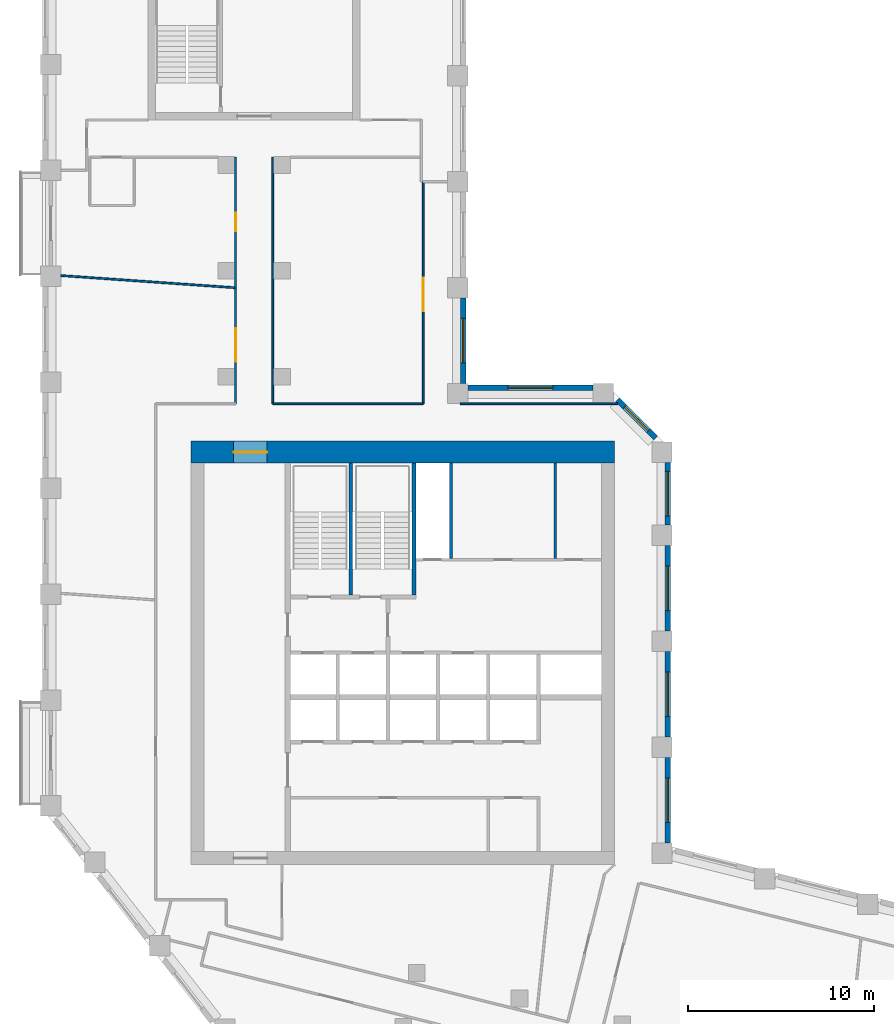
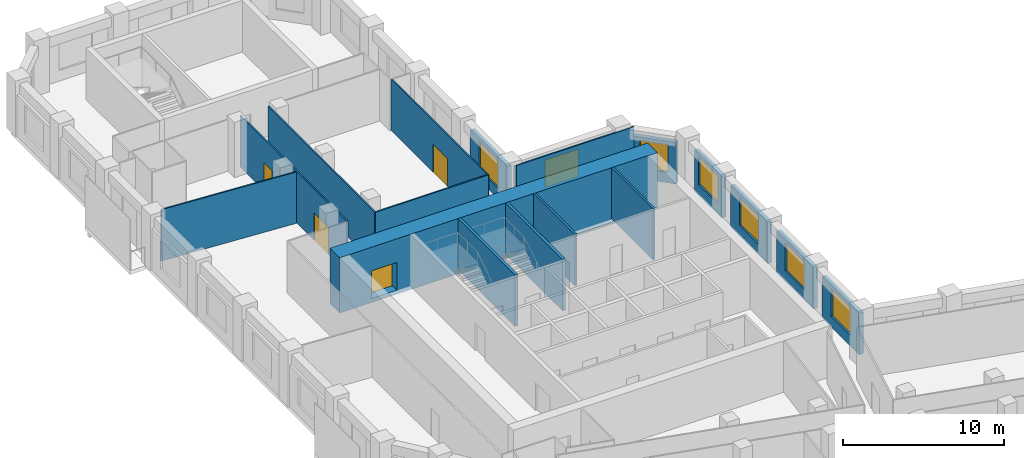
# One storey, part 6 of 10: 18 walls, 7 windows, 4 doors, 11 openings.
"""IFC4 building model written with IfcOpenShell, lengths in metres."""

from ifc_helpers import new_model, si_unit, direction, frame, frame_2d, origin, place, context, subcontext, project, spatial, rectangle, extrude, material, layer, layer_set, type_object, element, fill, save


model = new_model("IFC4")

# Units and contexts
model_context = context("Model", 3, precision=1e-05, world=origin(), true_north=direction((0.0, 1.0)))
body_context = subcontext(model_context, "Body", "Model", "MODEL_VIEW")
ifc_project = project(units=[si_unit("LENGTHUNIT", "METRE"), si_unit("AREAUNIT", "SQUARE_METRE"), si_unit("VOLUMEUNIT", "CUBIC_METRE"), si_unit("PLANEANGLEUNIT", "RADIAN"), si_unit("MASSUNIT", "GRAM", prefix="KILO")], contexts=[model_context])

# Site, building, storey
site_placement = place(None, origin())
site = spatial("IfcSite", under=ifc_project, at=site_placement, CompositionType="ELEMENT")
building_placement = place(site_placement, origin())
building = spatial("IfcBuilding", under=site, at=building_placement, Name="Meshkara Civic Tower", CompositionType="ELEMENT")
storey_placement = place(building_placement, frame((0.0, 0.0, 229.800048828125)))
storey = spatial("IfcBuildingStorey", under=building, at=storey_placement, Name="L52", CompositionType="ELEMENT", Elevation=229.800048828125)

# Walls
ifc_material_1 = material(Name="Blockwork", Category="masonry")
ifc_layer_1 = layer(ifc_material_1, 0.14990234375)
ifc_layer_set_1 = layer_set([ifc_layer_1], Name="Core partition 150")
wall_type_1 = type_object("IfcWallType", Name="Core partition 150", PredefinedType="PARTITIONING", material=ifc_layer_set_1)
for number, where, z_axis, x_axis, name in (
    (1, (22.0, 30.574951171875, 0.0), (0.0, 0.0, 1.0), (0.0, 1.0, 0.0), "L52-C017"),
    (2, (27.60009765625, 30.574951171875, 0.0), (0.0, 0.0, 1.0), (0.0, 1.0, 0.0), "L52-C022"),
):
    element("IfcWall", number, at=place(storey_placement, frame(where, z_axis=z_axis, x_axis=x_axis)), inside=storey, type_object=wall_type_1, Name=name, PredefinedType="PARTITIONING", context=body_context, shape_type="SweptSolid", body=[
        extrude(rectangle(XDim=5.125, YDim=0.14990234375, at=frame_2d((2.5625, 0.0))), origin(), (0.0, 0.0, 1.0), 3.89990234375),
    ])

# Wall, opening, door
ifc_material_2 = material(Name="Concrete C60", Category="concrete")
ifc_layer_2 = layer(ifc_material_2, 1.199951171875)
ifc_layer_set_2 = layer_set([ifc_layer_2], Name="Core ring wall 1200 C60")
wall_type_2 = type_object("IfcWallType", Name="Core ring wall 1200 C60", PredefinedType="SHEAR", material=ifc_layer_set_2)
wall_1_placement = place(storey_placement, frame((8.0, 36.300048828125, -0.300048828125), z_axis=(0.0, 0.0, 1.0), x_axis=(1.0, 0.0, 0.0)))
wall_1 = element("IfcWall", 3, at=wall_1_placement, inside=storey, type_object=wall_type_2, Name="L52-C002", PredefinedType="SHEAR", context=body_context, shape_type="SweptSolid", body=[
    extrude(rectangle(XDim=22.800048828125, YDim=1.199951171875, at=frame_2d((11.39990234375, 0.0))), origin(), (0.0, 0.0, 1.0), 4.199951171875),
])
opening_1_placement = place(wall_1_placement, frame((2.300048828125, 0.0, 0.300048828125)))
opening_1 = element("IfcOpeningElement", 4, at=opening_1_placement, cuts=wall_1, Name="Opening L52-K020", PredefinedType="OPENING", context=body_context, shape_type="SweptSolid", body=[
    extrude(rectangle(XDim=1.800048828125, YDim=2.10009765625, at=frame_2d((0.89990234375, 1.050048828125))), frame((0.0, 0.60986328125, 0.0), z_axis=(0.0, -1.0, 0.0), x_axis=(1.0, 0.0, 0.0)), (0.0, 0.0, 1.0), 1.219970703125),
])
ifc_material_3 = material(Name="Fire-rated door leaf in steel frame", Category="steel")
door_type_1 = type_object("IfcDoorType", Name="Core double door 1800 EI 60", OperationType="DOUBLE_DOOR_SINGLE_SWING", PredefinedType="DOOR", material=ifc_material_3)
door_1_placement = place(opening_1_placement, origin())
door_1 = element("IfcDoor", 5, at=door_1_placement, inside=storey, type_object=door_type_1, Name="L52-K020", OperationType="DOUBLE_DOOR_SINGLE_SWING", OverallHeight=2.10009765625, OverallWidth=1.800048828125, PredefinedType="DOOR", context=body_context, shape_type="SweptSolid", body=[
    extrude(rectangle(XDim=1.800048828125, YDim=2.10009765625, at=frame_2d((0.89990234375, 1.050048828125))), frame((0.0, 0.02490234375, 0.0), z_axis=(0.0, -1.0, 0.0), x_axis=(1.0, 0.0, 0.0)), (0.0, 0.0, 1.0), 0.050048828125),
])
fill(opening_1, door_1)

# Wall, openings, doors
ifc_material_4 = material(Name="Corridor wall 100")
ifc_layer_3 = layer(ifc_material_4, 0.10009765625)
ifc_layer_set_3 = layer_set([ifc_layer_3], Name="Corridor wall 100")
wall_type_3 = type_object("IfcWallType", Name="Corridor wall 100", PredefinedType="PARTITIONING", material=ifc_layer_set_3)
wall_2_placement = place(storey_placement, frame((10.39990234375, 52.169921875, 0.0), z_axis=(0.0, 0.0, 1.0), x_axis=(0.0, -1.0, 0.0)))
wall_2 = element("IfcWall", 6, at=wall_2_placement, inside=storey, type_object=wall_type_3, Name="L52-W012", PredefinedType="PARTITIONING", context=body_context, shape_type="SweptSolid", body=[
    extrude(rectangle(XDim=13.27001953125, YDim=0.10009765625, at=frame_2d((6.635009765625, 0.0))), origin(), (0.0, 0.0, 1.0), 3.89990234375),
])
opening_2_placement = place(wall_2_placement, frame((9.2060546875, 0.0, 0.0)))
opening_2 = element("IfcOpeningElement", 7, at=opening_2_placement, cuts=wall_2, Name="Opening L52-D014", PredefinedType="OPENING", context=body_context, shape_type="SweptSolid", body=[
    extrude(rectangle(XDim=1.800048828125, YDim=2.10009765625, at=frame_2d((0.89990234375, 1.050048828125))), frame((0.0, 0.06005859375, 0.0), z_axis=(0.0, -1.0, 0.0), x_axis=(1.0, 0.0, 0.0)), (0.0, 0.0, 1.0), 0.1201171875),
])
opening_3_placement = place(wall_2_placement, frame((2.97998046875, 0.0, 0.0)))
opening_3 = element("IfcOpeningElement", 8, at=opening_3_placement, cuts=wall_2, Name="Opening L52-D018", PredefinedType="OPENING", context=body_context, shape_type="SweptSolid", body=[
    extrude(rectangle(XDim=1.0, YDim=2.10009765625, at=frame_2d((0.5, 1.050048828125))), frame((0.0, 0.06005859375, 0.0), z_axis=(0.0, -1.0, 0.0), x_axis=(1.0, 0.0, 0.0)), (0.0, 0.0, 1.0), 0.1201171875),
])
ifc_material_5 = material(Name="Door 1000 x 2100")
door_type_2 = type_object("IfcDoorType", Name="Door 1000 x 2100", OperationType="SINGLE_SWING_LEFT", PredefinedType="DOOR", material=ifc_material_5)
door_2_placement = place(opening_3_placement, origin())
door_2 = element("IfcDoor", 9, at=door_2_placement, inside=storey, type_object=door_type_2, Name="L52-D018", OperationType="SINGLE_SWING_RIGHT", OverallHeight=2.10009765625, OverallWidth=1.0, PredefinedType="DOOR", context=body_context, shape_type="SweptSolid", body=[
    extrude(rectangle(XDim=1.0, YDim=2.10009765625, at=frame_2d((0.5, 1.050048828125))), frame((0.0, 0.02490234375, 0.0), z_axis=(0.0, -1.0, 0.0), x_axis=(1.0, 0.0, 0.0)), (0.0, 0.0, 1.0), 0.050048828125),
])
fill(opening_3, door_2)
ifc_material_6 = material(Name="Door pair 1800 x 2100")
door_type_3 = type_object("IfcDoorType", Name="Door pair 1800 x 2100", OperationType="SINGLE_SWING_LEFT", PredefinedType="DOOR", material=ifc_material_6)
door_3_placement = place(opening_2_placement, origin())
door_3 = element("IfcDoor", 10, at=door_3_placement, inside=storey, type_object=door_type_3, Name="L52-D014", OperationType="DOUBLE_DOOR_SINGLE_SWING", OverallHeight=2.10009765625, OverallWidth=1.800048828125, PredefinedType="DOOR", context=body_context, shape_type="SweptSolid", body=[
    extrude(rectangle(XDim=1.800048828125, YDim=2.10009765625, at=frame_2d((0.89990234375, 1.050048828125))), frame((0.0, 0.02490234375, 0.0), z_axis=(0.0, -1.0, 0.0), x_axis=(1.0, 0.0, 0.0)), (0.0, 0.0, 1.0), 0.050048828125),
])
fill(opening_2, door_3)

# Walls
wall_3_placement = place(storey_placement, frame((12.39990234375, 38.89990234375, 0.0), z_axis=(0.0, 0.0, 1.0), x_axis=(0.0, 1.0, 0.0)))
element("IfcWall", 11, at=wall_3_placement, inside=storey, type_object=wall_type_3, Name="L52-W013", PredefinedType="PARTITIONING", context=body_context, shape_type="SweptSolid", body=[
    extrude(rectangle(XDim=13.27001953125, YDim=0.10009765625, at=frame_2d((6.635009765625, 0.0))), origin(), (0.0, 0.0, 1.0), 3.89990234375),
])
wall_4_placement = place(storey_placement, frame((20.5, 38.89990234375, 0.0), z_axis=(0.0, 0.0, 1.0), x_axis=(-1.0, 0.0, 0.0)))
element("IfcWall", 12, at=wall_4_placement, inside=storey, type_object=wall_type_3, Name="L52-W018", PredefinedType="PARTITIONING", context=body_context, shape_type="SweptSolid", body=[
    extrude(rectangle(XDim=8.10009765625, YDim=0.10009765625, at=frame_2d((4.050048828125, 0.0))), origin(), (0.0, 0.0, 1.0), 3.89990234375),
])

# Wall, opening, door
wall_5_placement = place(storey_placement, frame((20.5, 50.85009765625, 0.0), z_axis=(0.0, 0.0, 1.0), x_axis=(0.0, -1.0, 0.0)))
wall_5 = element("IfcWall", 13, at=wall_5_placement, inside=storey, type_object=wall_type_3, Name="L52-W019", PredefinedType="PARTITIONING", context=body_context, shape_type="SweptSolid", body=[
    extrude(rectangle(XDim=11.9501953125, YDim=0.10009765625, at=frame_2d((5.97509765625, 0.0))), origin(), (0.0, 0.0, 1.0), 3.89990234375),
])
opening_4_placement = place(wall_5_placement, frame((5.179931640625, 0.0, 0.0)))
opening_4 = element("IfcOpeningElement", 14, at=opening_4_placement, cuts=wall_5, Name="Opening L52-D015", PredefinedType="OPENING", context=body_context, shape_type="SweptSolid", body=[
    extrude(rectangle(XDim=1.800048828125, YDim=2.10009765625, at=frame_2d((0.89990234375, 1.050048828125))), frame((0.0, 0.06005859375, 0.0), z_axis=(0.0, -1.0, 0.0), x_axis=(1.0, 0.0, 0.0)), (0.0, 0.0, 1.0), 0.1201171875),
])
door_4_placement = place(opening_4_placement, origin())
door_4 = element("IfcDoor", 15, at=door_4_placement, inside=storey, type_object=door_type_3, Name="L52-D015", OperationType="DOUBLE_DOOR_SINGLE_SWING", OverallHeight=2.10009765625, OverallWidth=1.800048828125, PredefinedType="DOOR", context=body_context, shape_type="SweptSolid", body=[
    extrude(rectangle(XDim=1.800048828125, YDim=2.10009765625, at=frame_2d((0.89990234375, 1.050048828125))), frame((0.0, 0.02490234375, 0.0), z_axis=(0.0, -1.0, 0.0), x_axis=(1.0, 0.0, 0.0)), (0.0, 0.0, 1.0), 0.050048828125),
])
fill(opening_4, door_4)

# Wall
wall_6_placement = place(storey_placement, frame((30.9560546875, 38.89990234375, 0.0), z_axis=(0.0, 0.0, 1.0), x_axis=(-1.0, 0.0, 0.0)))
element("IfcWall", 16, at=wall_6_placement, inside=storey, type_object=wall_type_3, Name="L52-W025", PredefinedType="PARTITIONING", context=body_context, shape_type="SweptSolid", body=[
    extrude(rectangle(XDim=8.4560546875, YDim=0.10009765625, at=frame_2d((4.22802734375, 0.0))), origin(), (0.0, 0.0, 1.0), 3.89990234375),
])

# Wall, opening, window
ifc_material_7 = material(Name="Insulated infill panel with bronze anodised aluminium cladding", Category="aluminium")
ifc_layer_4 = layer(ifc_material_7, 0.300048828125)
ifc_layer_set_4 = layer_set([ifc_layer_4], Name="EXTERNAL INFILL WALL 300")
wall_type_4 = type_object("IfcWallType", Name="EXTERNAL INFILL WALL 300", PredefinedType="SOLIDWALL", material=ifc_layer_set_4)
wall_7_placement = place(storey_placement, frame((33.64990234375, 15.26904296875, 0.0), z_axis=(0.0, 0.0, 1.0), x_axis=(0.0, 1.0, 0.0)))
wall_7 = element("IfcWall", 17, at=wall_7_placement, inside=storey, type_object=wall_type_4, Name="External wall", PredefinedType="SOLIDWALL", context=body_context, shape_type="SweptSolid", body=[
    extrude(rectangle(XDim=4.599853515625, YDim=0.300048828125, at=frame_2d((2.2998046875, 0.0))), origin(), (0.0, 0.0, 1.0), 3.14990234375),
])
opening_5_placement = place(wall_7_placement, frame((1.10009765625, 0.0, 0.800048828125)))
opening_5 = element("IfcOpeningElement", 18, at=opening_5_placement, cuts=wall_7, Name="Opening W7", PredefinedType="OPENING", context=body_context, shape_type="SweptSolid", body=[
    extrude(rectangle(XDim=2.39990234375, YDim=2.10009765625, at=frame_2d((1.199951171875, 1.050048828125))), frame((0.0, 0.159912109375, 0.0), z_axis=(0.0, -1.0, 0.0), x_axis=(1.0, 0.0, 0.0)), (0.0, 0.0, 1.0), 0.320068359375),
])
ifc_material_8 = material(Name="Tinted double glazing", Category="glass")
window_type_1 = type_object("IfcWindowType", Name="WINDOW 2400x2100", PartitioningType="DOUBLE_PANEL_VERTICAL", PredefinedType="WINDOW", material=ifc_material_8)
window_1_placement = place(opening_5_placement, origin())
window_1 = element("IfcWindow", 19, at=window_1_placement, inside=storey, type_object=window_type_1, Name="Window", OverallHeight=2.10009765625, OverallWidth=2.39990234375, PartitioningType="DOUBLE_PANEL_VERTICAL", PredefinedType="WINDOW", context=body_context, shape_type="SweptSolid", body=[
    extrude(rectangle(XDim=2.39990234375, YDim=2.10009765625, at=frame_2d((1.199951171875, 1.050048828125))), frame((0.0, 0.030029296875, 0.0), z_axis=(0.0, -1.0, 0.0), x_axis=(1.0, 0.0, 0.0)), (0.0, 0.0, 1.0), 0.06005859375),
])
fill(opening_5, window_1)

wall_8_placement = place(storey_placement, frame((33.64990234375, 20.968994140625, 0.0), z_axis=(0.0, 0.0, 1.0), x_axis=(0.0, 1.0, 0.0)))
wall_8 = element("IfcWall", 20, at=wall_8_placement, inside=storey, type_object=wall_type_4, Name="External wall", PredefinedType="SOLIDWALL", context=body_context, shape_type="SweptSolid", body=[
    extrude(rectangle(XDim=4.60009765625, YDim=0.300048828125, at=frame_2d((2.300048828125, 0.0))), origin(), (0.0, 0.0, 1.0), 3.14990234375),
])
opening_6_placement = place(wall_8_placement, frame((1.10009765625, 0.0, 0.800048828125)))
opening_6 = element("IfcOpeningElement", 21, at=opening_6_placement, cuts=wall_8, Name="Opening W7", PredefinedType="OPENING", context=body_context, shape_type="SweptSolid", body=[
    extrude(rectangle(XDim=2.39990234375, YDim=2.10009765625, at=frame_2d((1.199951171875, 1.050048828125))), frame((0.0, 0.159912109375, 0.0), z_axis=(0.0, -1.0, 0.0), x_axis=(1.0, 0.0, 0.0)), (0.0, 0.0, 1.0), 0.320068359375),
])
window_2_placement = place(opening_6_placement, origin())
window_2 = element("IfcWindow", 22, at=window_2_placement, inside=storey, type_object=window_type_1, Name="Window", OverallHeight=2.10009765625, OverallWidth=2.39990234375, PartitioningType="DOUBLE_PANEL_VERTICAL", PredefinedType="WINDOW", context=body_context, shape_type="SweptSolid", body=[
    extrude(rectangle(XDim=2.39990234375, YDim=2.10009765625, at=frame_2d((1.199951171875, 1.050048828125))), frame((0.0, 0.030029296875, 0.0), z_axis=(0.0, -1.0, 0.0), x_axis=(1.0, 0.0, 0.0)), (0.0, 0.0, 1.0), 0.06005859375),
])
fill(opening_6, window_2)

wall_9_placement = place(storey_placement, frame((33.64990234375, 26.6689453125, 0.0), z_axis=(0.0, 0.0, 1.0), x_axis=(0.0, 1.0, 0.0)))
wall_9 = element("IfcWall", 23, at=wall_9_placement, inside=storey, type_object=wall_type_4, Name="External wall", PredefinedType="SOLIDWALL", context=body_context, shape_type="SweptSolid", body=[
    extrude(rectangle(XDim=4.60009765625, YDim=0.300048828125, at=frame_2d((2.300048828125, 0.0))), origin(), (0.0, 0.0, 1.0), 3.14990234375),
])
opening_7_placement = place(wall_9_placement, frame((1.10009765625, 0.0, 0.800048828125)))
opening_7 = element("IfcOpeningElement", 24, at=opening_7_placement, cuts=wall_9, Name="Opening W7", PredefinedType="OPENING", context=body_context, shape_type="SweptSolid", body=[
    extrude(rectangle(XDim=2.39990234375, YDim=2.10009765625, at=frame_2d((1.199951171875, 1.050048828125))), frame((0.0, 0.159912109375, 0.0), z_axis=(0.0, -1.0, 0.0), x_axis=(1.0, 0.0, 0.0)), (0.0, 0.0, 1.0), 0.320068359375),
])
window_3_placement = place(opening_7_placement, origin())
window_3 = element("IfcWindow", 25, at=window_3_placement, inside=storey, type_object=window_type_1, Name="Window", OverallHeight=2.10009765625, OverallWidth=2.39990234375, PartitioningType="DOUBLE_PANEL_VERTICAL", PredefinedType="WINDOW", context=body_context, shape_type="SweptSolid", body=[
    extrude(rectangle(XDim=2.39990234375, YDim=2.10009765625, at=frame_2d((1.199951171875, 1.050048828125))), frame((0.0, 0.030029296875, 0.0), z_axis=(0.0, -1.0, 0.0), x_axis=(1.0, 0.0, 0.0)), (0.0, 0.0, 1.0), 0.06005859375),
])
fill(opening_7, window_3)

wall_10_placement = place(storey_placement, frame((33.64990234375, 32.368896484375, 0.0), z_axis=(0.0, 0.0, 1.0), x_axis=(0.0, 1.0, 0.0)))
wall_10 = element("IfcWall", 26, at=wall_10_placement, inside=storey, type_object=wall_type_4, Name="External wall", PredefinedType="SOLIDWALL", context=body_context, shape_type="SweptSolid", body=[
    extrude(rectangle(XDim=3.375, YDim=0.300048828125, at=frame_2d((1.6875, 0.0))), origin(), (0.0, 0.0, 1.0), 3.14990234375),
])
opening_8_placement = place(wall_10_placement, frame((0.488037109375, 0.0, 0.800048828125)))
opening_8 = element("IfcOpeningElement", 27, at=opening_8_placement, cuts=wall_10, Name="Opening W7", PredefinedType="OPENING", context=body_context, shape_type="SweptSolid", body=[
    extrude(rectangle(XDim=2.39990234375, YDim=2.10009765625, at=frame_2d((1.199951171875, 1.050048828125))), frame((0.0, 0.159912109375, 0.0), z_axis=(0.0, -1.0, 0.0), x_axis=(1.0, 0.0, 0.0)), (0.0, 0.0, 1.0), 0.320068359375),
])
window_4_placement = place(opening_8_placement, origin())
window_4 = element("IfcWindow", 28, at=window_4_placement, inside=storey, type_object=window_type_1, Name="Window", OverallHeight=2.10009765625, OverallWidth=2.39990234375, PartitioningType="DOUBLE_PANEL_VERTICAL", PredefinedType="WINDOW", context=body_context, shape_type="SweptSolid", body=[
    extrude(rectangle(XDim=2.39990234375, YDim=2.10009765625, at=frame_2d((1.199951171875, 1.050048828125))), frame((0.0, 0.030029296875, 0.0), z_axis=(0.0, -1.0, 0.0), x_axis=(1.0, 0.0, 0.0)), (0.0, 0.0, 1.0), 0.06005859375),
])
fill(opening_8, window_4)

wall_11_placement = place(storey_placement, frame((33.011962890625, 37.055908203125, 0.0), z_axis=(0.0, 0.0, 1.0), x_axis=(-0.707064797706, 0.707148762175, 0.0)))
wall_11 = element("IfcWall", 29, at=wall_11_placement, inside=storey, type_object=wall_type_4, Name="External wall", PredefinedType="SOLIDWALL", context=body_context, shape_type="SweptSolid", body=[
    extrude(rectangle(XDim=2.90771484375, YDim=0.300048828125, at=frame_2d((1.453857421875, 0.0))), origin(), (0.0, 0.0, 1.0), 3.14990234375),
])
opening_9_placement = place(wall_11_placement, frame((0.553955078125, 0.0, 0.800048828125)))
opening_9 = element("IfcOpeningElement", 30, at=opening_9_placement, cuts=wall_11, Name="Opening W9", PredefinedType="OPENING", context=body_context, shape_type="SweptSolid", body=[
    extrude(rectangle(XDim=1.800048828125, YDim=2.10009765625, at=frame_2d((0.89990234375, 1.050048828125))), frame((0.0, 0.159912109375, 0.0), z_axis=(0.0, -1.0, 0.0), x_axis=(1.0, 0.0, 0.0)), (0.0, 0.0, 1.0), 0.320068359375),
])
ifc_material_9 = material(Name="Tinted double glazing", Category="glass")
window_type_2 = type_object("IfcWindowType", Name="WINDOW 1800x2100", PartitioningType="DOUBLE_PANEL_VERTICAL", PredefinedType="WINDOW", material=ifc_material_9)
window_5_placement = place(opening_9_placement, origin())
window_5 = element("IfcWindow", 31, at=window_5_placement, inside=storey, type_object=window_type_2, Name="Window", OverallHeight=2.10009765625, OverallWidth=1.800048828125, PartitioningType="DOUBLE_PANEL_VERTICAL", PredefinedType="WINDOW", context=body_context, shape_type="SweptSolid", body=[
    extrude(rectangle(XDim=1.800048828125, YDim=2.10009765625, at=frame_2d((0.89990234375, 1.050048828125))), frame((0.0, 0.030029296875, 0.0), z_axis=(0.0, -1.0, 0.0), x_axis=(1.0, 0.0, 0.0)), (0.0, 0.0, 1.0), 0.06005859375),
])
fill(opening_9, window_5)

wall_12_placement = place(storey_placement, frame((29.64404296875, 39.75, 0.0), z_axis=(0.0, 0.0, 1.0), x_axis=(-1.0, 0.0, 0.0)))
wall_12 = element("IfcWall", 32, at=wall_12_placement, inside=storey, type_object=wall_type_4, Name="External wall", PredefinedType="SOLIDWALL", context=body_context, shape_type="SweptSolid", body=[
    extrude(rectangle(XDim=6.744140625, YDim=0.300048828125, at=frame_2d((3.3720703125, 0.0))), origin(), (0.0, 0.0, 1.0), 3.14990234375),
])
opening_10_placement = place(wall_12_placement, frame((2.172119140625, 0.0, 0.800048828125)))
opening_10 = element("IfcOpeningElement", 33, at=opening_10_placement, cuts=wall_12, Name="Opening W7", PredefinedType="OPENING", context=body_context, shape_type="SweptSolid", body=[
    extrude(rectangle(XDim=2.39990234375, YDim=2.10009765625, at=frame_2d((1.199951171875, 1.050048828125))), frame((0.0, 0.159912109375, 0.0), z_axis=(0.0, -1.0, 0.0), x_axis=(1.0, 0.0, 0.0)), (0.0, 0.0, 1.0), 0.320068359375),
])
window_6_placement = place(opening_10_placement, origin())
window_6 = element("IfcWindow", 34, at=window_6_placement, inside=storey, type_object=window_type_1, Name="Window", OverallHeight=2.10009765625, OverallWidth=2.39990234375, PartitioningType="DOUBLE_PANEL_VERTICAL", PredefinedType="WINDOW", context=body_context, shape_type="SweptSolid", body=[
    extrude(rectangle(XDim=2.39990234375, YDim=2.10009765625, at=frame_2d((1.199951171875, 1.050048828125))), frame((0.0, 0.030029296875, 0.0), z_axis=(0.0, -1.0, 0.0), x_axis=(1.0, 0.0, 0.0)), (0.0, 0.0, 1.0), 0.06005859375),
])
fill(opening_10, window_6)

wall_13_placement = place(storey_placement, frame((22.64990234375, 40.0, 0.0), z_axis=(0.0, 0.0, 1.0), x_axis=(0.0, 1.0, 0.0)))
wall_13 = element("IfcWall", 35, at=wall_13_placement, inside=storey, type_object=wall_type_4, Name="External wall", PredefinedType="SOLIDWALL", context=body_context, shape_type="SweptSolid", body=[
    extrude(rectangle(XDim=4.60009765625, YDim=0.300048828125, at=frame_2d((2.300048828125, 0.0))), origin(), (0.0, 0.0, 1.0), 3.14990234375),
])
opening_11_placement = place(wall_13_placement, frame((1.10009765625, 0.0, 0.800048828125)))
opening_11 = element("IfcOpeningElement", 36, at=opening_11_placement, cuts=wall_13, Name="Opening W7", PredefinedType="OPENING", context=body_context, shape_type="SweptSolid", body=[
    extrude(rectangle(XDim=2.39990234375, YDim=2.10009765625, at=frame_2d((1.199951171875, 1.050048828125))), frame((0.0, 0.159912109375, 0.0), z_axis=(0.0, -1.0, 0.0), x_axis=(1.0, 0.0, 0.0)), (0.0, 0.0, 1.0), 0.320068359375),
])
window_7_placement = place(opening_11_placement, origin())
window_7 = element("IfcWindow", 37, at=window_7_placement, inside=storey, type_object=window_type_1, Name="Window", OverallHeight=2.10009765625, OverallWidth=2.39990234375, PartitioningType="DOUBLE_PANEL_VERTICAL", PredefinedType="WINDOW", context=body_context, shape_type="SweptSolid", body=[
    extrude(rectangle(XDim=2.39990234375, YDim=2.10009765625, at=frame_2d((1.199951171875, 1.050048828125))), frame((0.0, 0.030029296875, 0.0), z_axis=(0.0, -1.0, 0.0), x_axis=(1.0, 0.0, 0.0)), (0.0, 0.0, 1.0), 0.06005859375),
])
fill(opening_11, window_7)

# Walls
ifc_material_10 = material(Name="Partition 100")
ifc_layer_5 = layer(ifc_material_10, 0.10009765625)
ifc_layer_set_5 = layer_set([ifc_layer_5], Name="Partition 100")
wall_type_5 = type_object("IfcWallType", Name="Partition 100", PredefinedType="PARTITIONING", material=ifc_layer_set_5)
wall_14_placement = place(storey_placement, frame((10.346923828125, 45.14404296875, 0.0), z_axis=(0.0, 0.0, 1.0), x_axis=(-0.997567943391, 0.069700777029, 0.0)))
element("IfcWall", 38, at=wall_14_placement, inside=storey, type_object=wall_type_5, Name="L52-W047", PredefinedType="PARTITIONING", context=body_context, shape_type="SweptSolid", body=[
    extrude(rectangle(XDim=9.36962890625, YDim=0.10009765625, at=frame_2d((4.684814453125, 0.0))), origin(), (0.0, 0.0, 1.0), 3.89990234375),
])
ifc_material_11 = material(Name="Concrete C40/50", Category="concrete")
ifc_layer_6 = layer(ifc_material_11, 0.199951171875)
ifc_layer_set_6 = layer_set([ifc_layer_6], Name="Stair enclosure wall 200 C40/50")
wall_type_6 = type_object("IfcWallType", Name="Stair enclosure wall 200 C40/50", PredefinedType="SOLIDWALL", material=ifc_layer_set_6)
for number, where, z_axis, x_axis, name in (
    (39, (16.60009765625, 28.60009765625, 0.0), (0.0, 0.0, 1.0), (0.0, 1.0, 0.0), "L52-C013"),
    (40, (20.0, 28.60009765625, 0.0), (0.0, 0.0, 1.0), (0.0, 1.0, 0.0), "L52-C015"),
):
    element("IfcWall", number, at=place(storey_placement, frame(where, z_axis=z_axis, x_axis=x_axis)), inside=storey, type_object=wall_type_6, Name=name, PredefinedType="SOLIDWALL", context=body_context, shape_type="SweptSolid", body=[
        extrude(rectangle(XDim=7.099853515625, YDim=0.199951171875, at=frame_2d((3.5498046875, 0.0))), origin(), (0.0, 0.0, 1.0), 3.89990234375),
    ])

save(model, "model.ifc")
